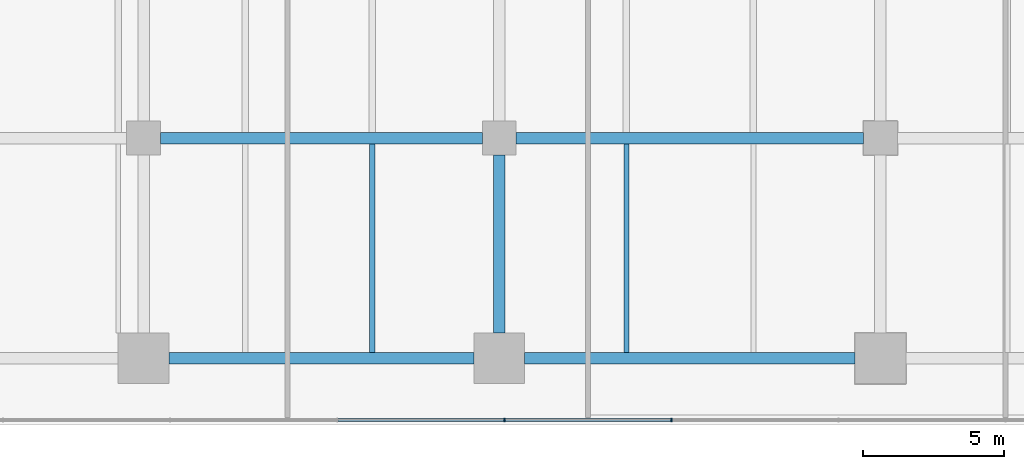
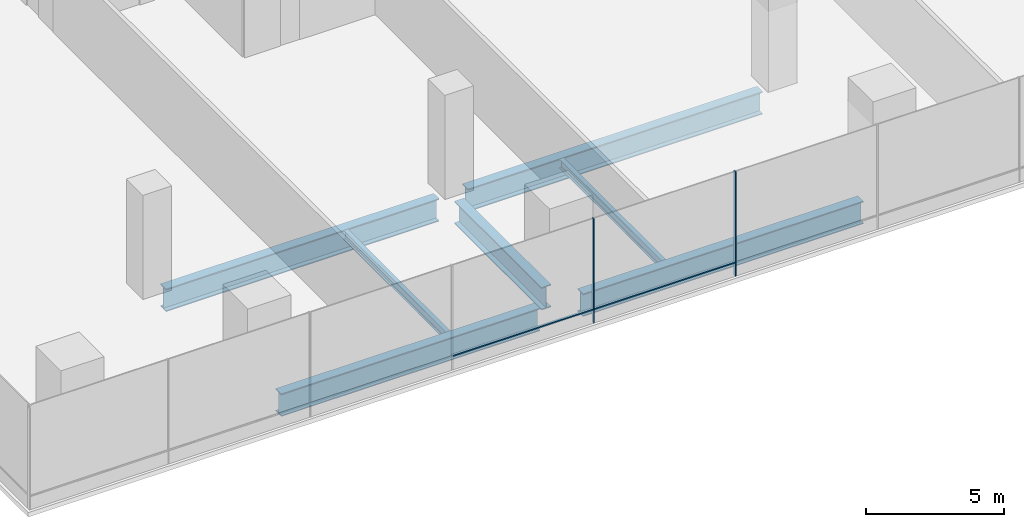
# One storey, part 3 of 29: 7 beams, 4 members, 1 element without a shape of its own.
"""IFC4 building model written with IfcOpenShell, lengths in metres."""

from ifc_helpers import new_model, si_unit, direction, frame, origin, origin_2d, place, context, subcontext, project, spatial, rectangle, i_section, extrude, material, layer, layer_set, material_profile, profile_set, type_object, element, aggregate, save


model = new_model("IFC4")

# Units and contexts
model_context = context("Model", 3, precision=1e-05, world=origin(), true_north=direction((0.0, 1.0)))
body_context = subcontext(model_context, "Body", "Model", "MODEL_VIEW")
ifc_project = project(units=[si_unit("LENGTHUNIT", "METRE"), si_unit("AREAUNIT", "SQUARE_METRE"), si_unit("VOLUMEUNIT", "CUBIC_METRE"), si_unit("PLANEANGLEUNIT", "RADIAN"), si_unit("MASSUNIT", "GRAM", prefix="KILO")], contexts=[model_context])

# Site, building, storey
site_placement = place(None, origin())
site = spatial("IfcSite", under=ifc_project, at=site_placement, CompositionType="ELEMENT")
building_placement = place(site_placement, origin())
building = spatial("IfcBuilding", under=site, at=building_placement, Name="Rattan Terrace Tower", CompositionType="ELEMENT")
storey_placement = place(building_placement, frame((0.0, 0.0, 12.60009765625)))
storey = spatial("IfcBuildingStorey", under=building, at=storey_placement, Name="L02", CompositionType="ELEMENT", Elevation=12.60009765625)

# Beams
ifc_material_1 = material(Name="Steel S355", Category="steel")
ifc_material_profile_1 = material_profile(ifc_material_1, i_section(OverallWidth=0.179931640625, OverallDepth=0.39990234375, WebThickness=0.008544921875, FlangeThickness=0.013427734375, FilletRadius=0.02099609375, at=origin_2d()), Name="IPE 400")
ifc_profile_set_1 = profile_set([ifc_material_profile_1], Name="Steel S355")
beam_type_1 = type_object("IfcBeamType", Name="Frame floor beam IPE 400", PredefinedType="JOIST", material=ifc_profile_set_1)
for number, where, z_axis, x_axis, name in (
    (1, (-18.0, -34.699951171875, -0.400146484375), (0.0, 1.0, 0.0), (-1.0, 0.0, 0.0), "bm-L02-005"),
    (2, (-9.0, -34.699951171875, -0.400146484375), (0.0, 1.0, 0.0), (-1.0, 0.0, 0.0), "bm-L02-006"),
):
    element("IfcBeam", number, at=place(storey_placement, frame(where, z_axis=z_axis, x_axis=x_axis)), inside=storey, type_object=beam_type_1, Name=name, PredefinedType="JOIST", context=body_context, shape_type="SweptSolid", body=[
        extrude(i_section(OverallWidth=0.179931640625, OverallDepth=0.39990234375, WebThickness=0.008544921875, FlangeThickness=0.013427734375, FilletRadius=0.02099609375, at=origin_2d()), origin(), (0.0, 0.0, 1.0), 7.39990234375),
    ])
ifc_material_2 = material(Name="Steel S460", Category="steel")
ifc_material_profile_2 = material_profile(ifc_material_2, i_section(OverallWidth=0.39990234375, OverallDepth=1.0, WebThickness=0.01806640625, FlangeThickness=0.044921875, at=origin_2d()), Name="PG 1000x400-18-45")
ifc_profile_set_2 = profile_set([ifc_material_profile_2], Name="Steel S460")
beam_type_2 = type_object("IfcBeamType", Name="Frame podium girder PG 1000x400-18-45", PredefinedType="USERDEFINED", material=ifc_profile_set_2)
beam_1_placement = place(storey_placement, frame((-25.199951171875, -34.89990234375, -0.7001953125), z_axis=(1.0, 0.0, 0.0), x_axis=(0.0, 1.0, 0.0)))
element("IfcBeam", 3, at=beam_1_placement, inside=storey, type_object=beam_type_2, Name="gdr-L02-002", ObjectType="PODIUM GIRDER", PredefinedType="USERDEFINED", context=body_context, shape_type="SweptSolid", body=[
    extrude(i_section(OverallWidth=0.39990234375, OverallDepth=1.0, WebThickness=0.01806640625, FlangeThickness=0.044921875, at=origin_2d()), origin(), (0.0, 0.0, 1.0), 10.800048828125),
])
beam_2_placement = place(storey_placement, frame((-12.60009765625, -34.89990234375, -0.7001953125), z_axis=(1.0, 0.0, 0.0), x_axis=(0.0, 1.0, 0.0)))
element("IfcBeam", 4, at=beam_2_placement, inside=storey, type_object=beam_type_2, Name="gdr-L02-003", ObjectType="PODIUM GIRDER", PredefinedType="USERDEFINED", context=body_context, shape_type="SweptSolid", body=[
    extrude(i_section(OverallWidth=0.39990234375, OverallDepth=1.0, WebThickness=0.01806640625, FlangeThickness=0.044921875, at=origin_2d()), origin(), (0.0, 0.0, 1.0), 11.7001953125),
])
beam_3_placement = place(storey_placement, frame((-13.5, -34.0, -0.7001953125), z_axis=(0.0, 1.0, 0.0), x_axis=(-1.0, 0.0, 0.0)))
element("IfcBeam", 5, at=beam_3_placement, inside=storey, type_object=beam_type_2, Name="gdr-L02-009", ObjectType="PODIUM GIRDER", PredefinedType="USERDEFINED", context=body_context, shape_type="SweptSolid", body=[
    extrude(i_section(OverallWidth=0.39990234375, OverallDepth=1.0, WebThickness=0.01806640625, FlangeThickness=0.044921875, at=origin_2d()), origin(), (0.0, 0.0, 1.0), 6.300048828125),
])
beam_4_placement = place(storey_placement, frame((-25.5, -27.10009765625, -0.7001953125), z_axis=(1.0, 0.0, 0.0), x_axis=(0.0, 1.0, 0.0)))
element("IfcBeam", 6, at=beam_4_placement, inside=storey, type_object=beam_type_2, Name="gdr-L02-015", ObjectType="PODIUM GIRDER", PredefinedType="USERDEFINED", context=body_context, shape_type="SweptSolid", body=[
    extrude(i_section(OverallWidth=0.39990234375, OverallDepth=1.0, WebThickness=0.01806640625, FlangeThickness=0.044921875, at=origin_2d()), origin(), (0.0, 0.0, 1.0), 11.39990234375),
])
beam_5_placement = place(storey_placement, frame((-12.89990234375, -27.10009765625, -0.7001953125), z_axis=(1.0, 0.0, 0.0), x_axis=(0.0, 1.0, 0.0)))
element("IfcBeam", 7, at=beam_5_placement, inside=storey, type_object=beam_type_2, Name="gdr-L02-016", ObjectType="PODIUM GIRDER", PredefinedType="USERDEFINED", context=body_context, shape_type="SweptSolid", body=[
    extrude(i_section(OverallWidth=0.39990234375, OverallDepth=1.0, WebThickness=0.01806640625, FlangeThickness=0.044921875, at=origin_2d()), origin(), (0.0, 0.0, 1.0), 12.2998046875),
])

# Curtain wall, members
ifc_material_3 = material(Name="Aluminium and glass", Category="aluminium")
ifc_layer = layer(ifc_material_3, 0.1201171875)
ifc_layer_set = layer_set([ifc_layer], Name="Station Storefront Curtain Wall")
curtain_wall_type = type_object("IfcCurtainWallType", Name="Station Storefront Curtain Wall", PredefinedType="NOTDEFINED", material=ifc_layer_set)
curtain_wall_placement = place(storey_placement, origin())
curtain_wall = element("IfcCurtainWall", 8, at=curtain_wall_placement, inside=storey, type_object=curtain_wall_type, Name="Storefront curtain wall L02-4", PredefinedType="NOTDEFINED")
ifc_material_4 = material(Name="Aluminium", Category="aluminium")
ifc_material_profile_3 = material_profile(ifc_material_4, rectangle(XDim=0.050048828125, YDim=0.1201171875, at=origin_2d()), Name="Aluminium 50x120")
ifc_profile_set_3 = profile_set([ifc_material_profile_3], Name="Aluminium")
member_type_1 = type_object("IfcMemberType", Name="Storefront CW Mullion 50x120", PredefinedType="MULLION", material=ifc_profile_set_3)
member_1_placement = place(storey_placement, frame((-13.320068359375, -37.080078125, 0.0), z_axis=(0.0, 0.0, 1.0), x_axis=(1.0, 0.0, 0.0)))
member_1 = element("IfcMember", 9, at=member_1_placement, type_object=member_type_1, Name="Mullion cwl-L02-004.5", PredefinedType="MULLION", context=body_context, shape_type="SweptSolid", body=[
    extrude(rectangle(XDim=0.050048828125, YDim=0.1201171875, at=origin_2d()), origin(), (0.0, 0.0, 1.0), 4.599853515625),
])
member_2_placement = place(storey_placement, frame((-7.39990234375, -37.080078125, 0.0), z_axis=(0.0, 0.0, 1.0), x_axis=(1.0, 0.0, 0.0)))
member_2 = element("IfcMember", 10, at=member_2_placement, type_object=member_type_1, Name="Mullion cwl-L02-004.6", PredefinedType="MULLION", context=body_context, shape_type="SweptSolid", body=[
    extrude(rectangle(XDim=0.050048828125, YDim=0.1201171875, at=origin_2d()), origin(), (0.0, 0.0, 1.0), 4.599853515625),
])
ifc_material_5 = material(Name="Aluminium", Category="aluminium")
ifc_material_profile_4 = material_profile(ifc_material_5, rectangle(XDim=0.10009765625, YDim=0.050048828125, at=origin_2d()), Name="Aluminium 100x50")
ifc_profile_set_4 = profile_set([ifc_material_profile_4], Name="Aluminium")
member_type_2 = type_object("IfcMemberType", Name="Storefront CW Transom 100x50", PredefinedType="USERDEFINED", material=ifc_profile_set_4)
member_3_placement = place(storey_placement, frame((-19.215087890625, -37.080078125, 0.599853515625), z_axis=(1.0, 0.0, 0.0), x_axis=(0.0, 1.0, 0.0)))
member_3 = element("IfcMember", 11, at=member_3_placement, type_object=member_type_2, Name="Transom cwl-L02-004.4", ObjectType="TRANSOM", PredefinedType="USERDEFINED", context=body_context, shape_type="SweptSolid", body=[
    extrude(rectangle(XDim=0.10009765625, YDim=0.050048828125, at=origin_2d()), origin(), (0.0, 0.0, 1.0), 5.8701171875),
])
member_4_placement = place(storey_placement, frame((-13.294921875, -37.080078125, 0.599853515625), z_axis=(1.0, 0.0, 0.0), x_axis=(0.0, 1.0, 0.0)))
member_4 = element("IfcMember", 12, at=member_4_placement, type_object=member_type_2, Name="Transom cwl-L02-004.5", ObjectType="TRANSOM", PredefinedType="USERDEFINED", context=body_context, shape_type="SweptSolid", body=[
    extrude(rectangle(XDim=0.10009765625, YDim=0.050048828125, at=origin_2d()), origin(), (0.0, 0.0, 1.0), 5.869873046875),
])
aggregate(curtain_wall, [member_1, member_2, member_3, member_4])

save(model, "model.ifc")
